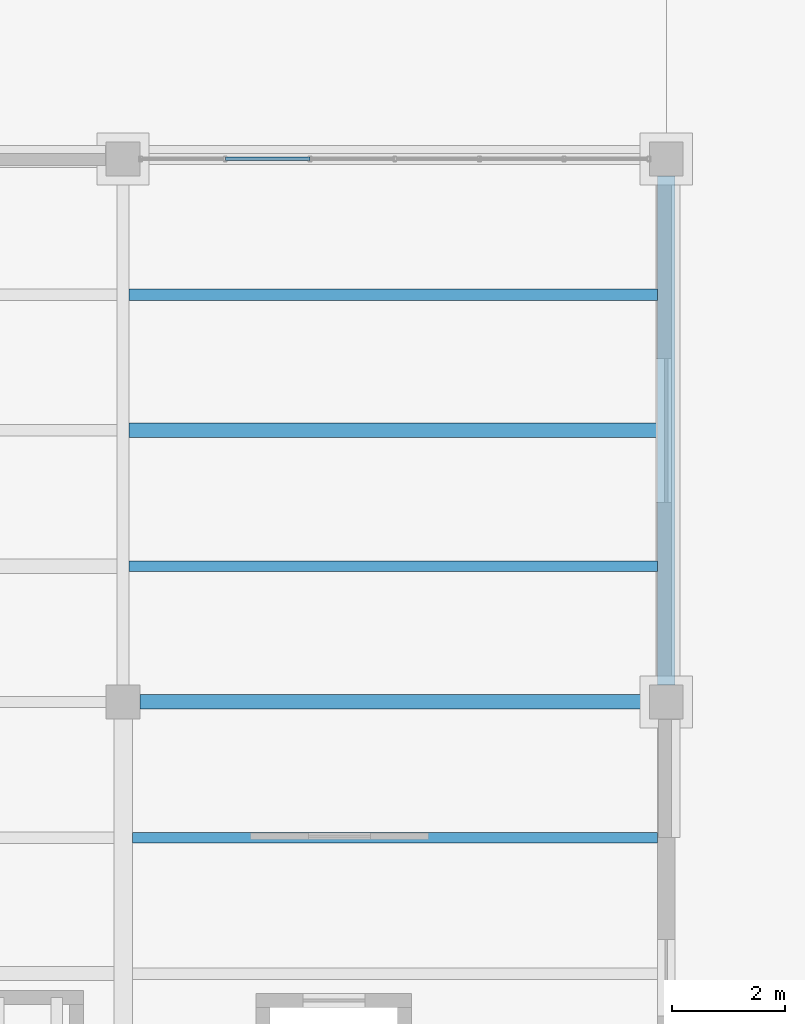
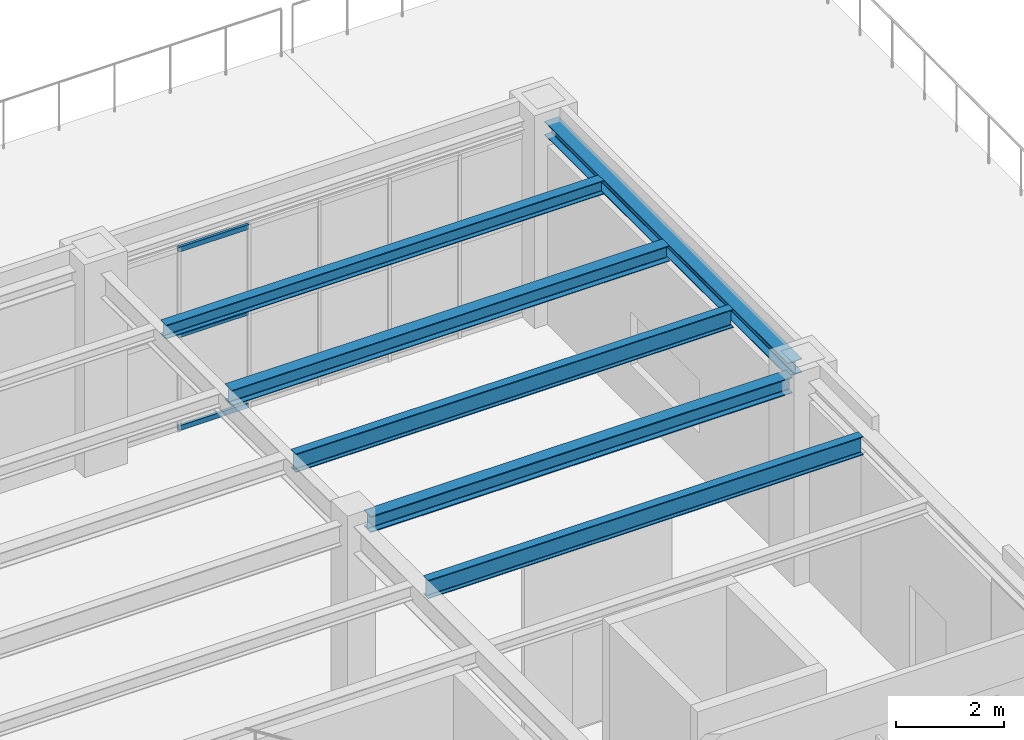
# One storey, part 13 of 83: 6 beams, 3 members, 1 element without a shape of its own.
"""IFC4 building model written with IfcOpenShell, lengths in metres."""

from ifc_helpers import new_model, si_unit, direction, frame, origin, origin_2d, place, context, subcontext, project, spatial, hollow_rectangle, i_section, extrude, material, material_profile, profile_set, type_object, element, aggregate, save


model = new_model("IFC4")

# Units and contexts
model_context = context("Model", 3, precision=1e-05, world=origin(), true_north=direction((0.0, 1.0)))
body_context = subcontext(model_context, "Body", "Model", "MODEL_VIEW")
ifc_project = project(units=[si_unit("LENGTHUNIT", "METRE"), si_unit("AREAUNIT", "SQUARE_METRE"), si_unit("VOLUMEUNIT", "CUBIC_METRE"), si_unit("PLANEANGLEUNIT", "RADIAN"), si_unit("MASSUNIT", "GRAM", prefix="KILO")], contexts=[model_context])

# Site, building, storey
site_placement = place(None, origin())
site = spatial("IfcSite", under=ifc_project, at=site_placement, CompositionType="ELEMENT")
building_placement = place(site_placement, origin())
building = spatial("IfcBuilding", under=site, at=building_placement, Name="Mavantir Sound Aquarium", CompositionType="ELEMENT")
storey_placement = place(building_placement, frame((0.0, 0.0, 10.5)))
storey = spatial("IfcBuildingStorey", under=building, at=storey_placement, Name="L02", CompositionType="ELEMENT", Elevation=10.5)

# Beams
ifc_material_1 = material(Name="Structural Steel ASTM A992 Gr50", Category="steel")
ifc_material_profile_1 = material_profile(ifc_material_1, i_section(OverallWidth=0.205078125, OverallDepth=0.31005859375, WebThickness=0.009521484375, FlangeThickness=0.016357421875, FilletRadius=0.012939453125, at=origin_2d()), Name="W310X74")
ifc_profile_set_1 = profile_set([ifc_material_profile_1], Name="Structural Steel ASTM A992 Gr50")
beam_type_1 = type_object("IfcBeamType", Name="BM-W310X74-I", PredefinedType="JOIST", material=ifc_profile_set_1)
beam_1_placement = place(storey_placement, frame((45.7060546875, 57.60009765625, 4.321044921875), z_axis=(1.0, 0.0, 0.0), x_axis=(0.0, 1.0, 0.0)))
element("IfcBeam", 1, at=beam_1_placement, inside=storey, type_object=beam_type_1, Name="L02 secondary floor joist SJ-31 875", PredefinedType="JOIST", context=body_context, shape_type="SweptSolid", body=[
    extrude(i_section(OverallWidth=0.205078125, OverallDepth=0.31005859375, WebThickness=0.009521484375, FlangeThickness=0.016357421875, FilletRadius=0.012939453125, at=origin_2d()), origin(), (0.0, 0.0, 1.0), 9.341552734375),
])
ifc_material_profile_2 = material_profile(ifc_material_1, i_section(OverallWidth=0.304931640625, OverallDepth=0.30810546875, WebThickness=0.010009765625, FlangeThickness=0.015380859375, FilletRadius=0.014892578125, at=origin_2d()), Name="W310X97")
ifc_profile_set_2 = profile_set([ifc_material_profile_2], Name="Structural Steel ASTM A992 Gr50")
beam_type_2 = type_object("IfcBeamType", Name="BM-W310X97-E", PredefinedType="SPANDREL", material=ifc_profile_set_2)
beam_2_placement = place(storey_placement, frame((55.199951171875, 50.699951171875, 4.322021484375), z_axis=(0.0, 1.0, 0.0), x_axis=(-1.0, 0.0, 0.0)))
element("IfcBeam", 2, at=beam_2_placement, inside=storey, type_object=beam_type_2, Name="L02 primary girder SS-31A 1492", PredefinedType="SPANDREL", context=body_context, shape_type="SweptSolid", body=[
    extrude(i_section(OverallWidth=0.304931640625, OverallDepth=0.30810546875, WebThickness=0.010009765625, FlangeThickness=0.015380859375, FilletRadius=0.014892578125, at=origin_2d()), origin(), (0.0, 0.0, 1.0), 9.0),
])
ifc_material_profile_3 = material_profile(ifc_material_1, i_section(OverallWidth=0.257080078125, OverallDepth=0.363037109375, WebThickness=0.012939453125, FlangeThickness=0.021728515625, FilletRadius=0.014892578125, at=origin_2d()), Name="W360X122")
ifc_profile_set_3 = profile_set([ifc_material_profile_3], Name="Structural Steel ASTM A992 Gr50")
beam_type_3 = type_object("IfcBeamType", Name="BM-W360X122-I", PredefinedType="BEAM", material=ifc_profile_set_3)
beam_3_placement = place(storey_placement, frame((45.89990234375, 50.39990234375, 4.29443359375), z_axis=(1.0, 0.0, 0.0), x_axis=(0.0, 1.0, 0.0)))
element("IfcBeam", 3, at=beam_3_placement, inside=storey, type_object=beam_type_3, Name="L02 primary beam SB-36A 1484", PredefinedType="BEAM", context=body_context, shape_type="SweptSolid", body=[
    extrude(i_section(OverallWidth=0.257080078125, OverallDepth=0.363037109375, WebThickness=0.012939453125, FlangeThickness=0.021728515625, FilletRadius=0.014892578125, at=origin_2d()), origin(), (0.0, 0.0, 1.0), 9.0),
])
ifc_material_profile_4 = material_profile(ifc_material_1, i_section(OverallWidth=0.25390625, OverallDepth=0.35302734375, WebThickness=0.009521484375, FlangeThickness=0.016357421875, FilletRadius=0.014892578125, at=origin_2d()), Name="W360X91")
ifc_profile_set_4 = profile_set([ifc_material_profile_4], Name="Structural Steel ASTM A992 Gr50")
beam_type_4 = type_object("IfcBeamType", Name="BM-W360X91-I", PredefinedType="JOIST", material=ifc_profile_set_4)
beam_4_placement = place(storey_placement, frame((45.7060546875, 55.199951171875, 4.299560546875), z_axis=(1.0, 0.0, 0.0), x_axis=(0.0, 1.0, 0.0)))
element("IfcBeam", 4, at=beam_4_placement, inside=storey, type_object=beam_type_4, Name="L02 secondary floor joist SJ-36 874", PredefinedType="JOIST", context=body_context, shape_type="SweptSolid", body=[
    extrude(i_section(OverallWidth=0.25390625, OverallDepth=0.35302734375, WebThickness=0.009521484375, FlangeThickness=0.016357421875, FilletRadius=0.014892578125, at=origin_2d()), origin(), (0.0, 0.0, 1.0), 9.341552734375),
])
ifc_material_profile_5 = material_profile(ifc_material_1, i_section(OverallWidth=0.180908203125, OverallDepth=0.4169921875, WebThickness=0.010986328125, FlangeThickness=0.018310546875, FilletRadius=0.014892578125, at=origin_2d()), Name="W410X85")
ifc_profile_set_5 = profile_set([ifc_material_profile_5], Name="Structural Steel ASTM A992 Gr50")
beam_type_5 = type_object("IfcBeamType", Name="BM-W410X85-I", PredefinedType="JOIST", material=ifc_profile_set_5)
beam_5_placement = place(storey_placement, frame((45.761962890625, 48.0, 4.3076171875), z_axis=(1.0, 0.0, 0.0), x_axis=(0.0, 1.0, 0.0)))
element("IfcBeam", 5, at=beam_5_placement, inside=storey, type_object=beam_type_5, Name="L02 secondary floor joist SJ-41 869", PredefinedType="JOIST", context=body_context, shape_type="SweptSolid", body=[
    extrude(i_section(OverallWidth=0.180908203125, OverallDepth=0.4169921875, WebThickness=0.010986328125, FlangeThickness=0.018310546875, FilletRadius=0.014892578125, at=origin_2d()), origin(), (0.0, 0.0, 1.0), 9.28564453125),
])
beam_6_placement = place(storey_placement, frame((45.7060546875, 52.800048828125, 4.267578125), z_axis=(1.0, 0.0, 0.0), x_axis=(0.0, 1.0, 0.0)))
element("IfcBeam", 6, at=beam_6_placement, inside=storey, type_object=beam_type_5, Name="L02 secondary floor joist SJ-41 873", PredefinedType="JOIST", context=body_context, shape_type="SweptSolid", body=[
    extrude(i_section(OverallWidth=0.180908203125, OverallDepth=0.4169921875, WebThickness=0.010986328125, FlangeThickness=0.018310546875, FilletRadius=0.014892578125, at=origin_2d()), origin(), (0.0, 0.0, 1.0), 9.341552734375),
])

# Curtain wall, members
ifc_material_2 = material(Name="Anodised Marine Aluminium and Low-E Glass", Category="aluminium")
curtain_wall_type = type_object("IfcCurtainWallType", Name="CW-T05", PredefinedType="USERDEFINED", material=ifc_material_2)
curtain_wall_placement = place(storey_placement, origin())
curtain_wall = element("IfcCurtainWall", 7, at=curtain_wall_placement, inside=storey, type_object=curtain_wall_type, Name="L02 unitised curtain wall CW-05 125", ObjectType="UNITISED GLAZING", PredefinedType="USERDEFINED")
ifc_material_3 = material(Name="Anodised Marine Aluminium 6063-T6", Category="aluminium")
ifc_material_profile_6 = material_profile(ifc_material_3, hollow_rectangle(XDim=0.06005859375, YDim=0.110107421875, WallThickness=0.00390625, at=origin_2d()), Name="ALU-TRANSOM-110X60")
ifc_profile_set_6 = profile_set([ifc_material_profile_6], Name="Anodised Marine Aluminium 6063-T6")
member_type = type_object("IfcMemberType", Name="CW-TRN-110", PredefinedType="USERDEFINED", material=ifc_profile_set_6)
member_1_placement = place(storey_placement, frame((48.902587890625, 60.0, 0.054931640625), z_axis=(-1.0, 0.0, 0.0), x_axis=(0.0, -1.0, 0.0)))
member_1 = element("IfcMember", 8, at=member_1_placement, type_object=member_type, Name="CW-L02-125 transom 5.1", ObjectType="TRANSOM", PredefinedType="USERDEFINED", context=body_context, shape_type="SweptSolid", body=[
    extrude(hollow_rectangle(XDim=0.06005859375, YDim=0.110107421875, WallThickness=0.00390625, at=origin_2d()), origin(), (0.0, 0.0, 1.0), 1.497314453125),
])
member_2_placement = place(storey_placement, frame((48.902587890625, 60.0, 2.15185546875), z_axis=(-1.0, 0.0, 0.0), x_axis=(0.0, -1.0, 0.0)))
member_2 = element("IfcMember", 9, at=member_2_placement, type_object=member_type, Name="CW-L02-125 transom 5.2", ObjectType="TRANSOM", PredefinedType="USERDEFINED", context=body_context, shape_type="SweptSolid", body=[
    extrude(hollow_rectangle(XDim=0.06005859375, YDim=0.110107421875, WallThickness=0.00390625, at=origin_2d()), origin(), (0.0, 0.0, 1.0), 1.497314453125),
])
member_3_placement = place(storey_placement, frame((48.902587890625, 60.0, 4.0830078125), z_axis=(-1.0, 0.0, 0.0), x_axis=(0.0, -1.0, 0.0)))
member_3 = element("IfcMember", 10, at=member_3_placement, type_object=member_type, Name="CW-L02-125 transom 5.3", ObjectType="TRANSOM", PredefinedType="USERDEFINED", context=body_context, shape_type="SweptSolid", body=[
    extrude(hollow_rectangle(XDim=0.06005859375, YDim=0.110107421875, WallThickness=0.00390625, at=origin_2d()), origin(), (0.0, 0.0, 1.0), 1.497314453125),
])
aggregate(curtain_wall, [member_1, member_2, member_3])

save(model, "model.ifc")
